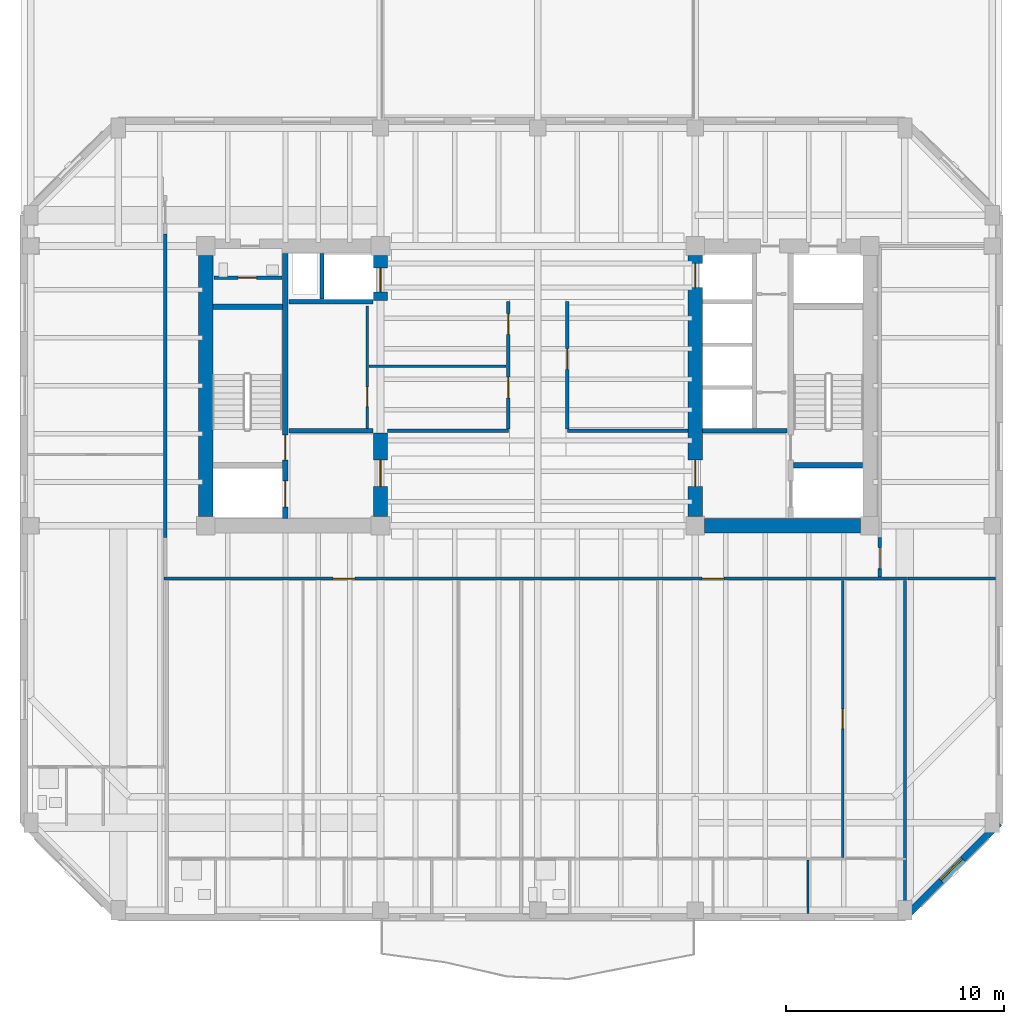
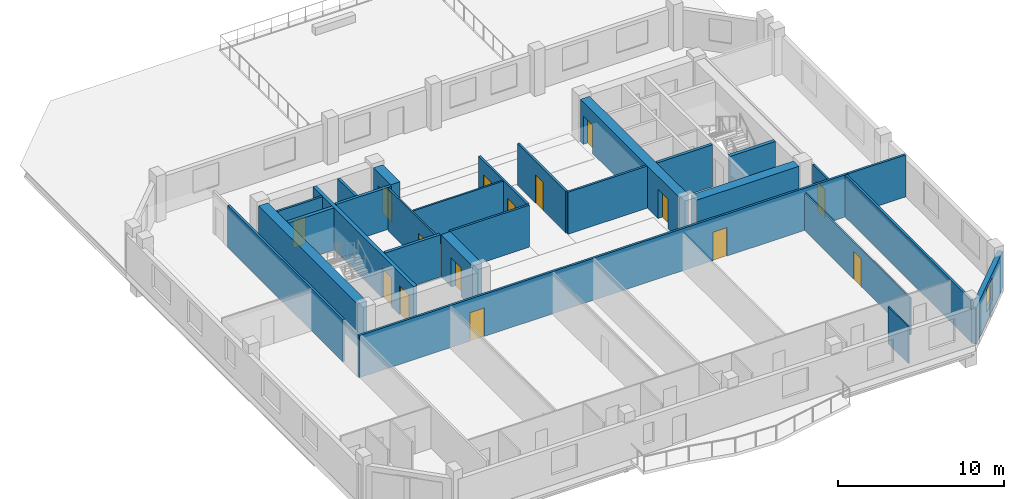
# One storey, part 4 of 11: 27 walls, 15 doors, 1 window, 16 openings.
"""IFC4 building model written with IfcOpenShell, lengths in metres."""

from ifc_helpers import new_model, si_unit, direction, frame, frame_2d, origin, place, context, subcontext, project, spatial, rectangle, extrude, material, layer, layer_set, type_object, element, fill, save


model = new_model("IFC4")

# Units and contexts
model_context = context("Model", 3, precision=1e-05, world=origin(), true_north=direction((0.0, 1.0)))
body_context = subcontext(model_context, "Body", "Model", "MODEL_VIEW")
ifc_project = project(units=[si_unit("LENGTHUNIT", "METRE"), si_unit("AREAUNIT", "SQUARE_METRE"), si_unit("VOLUMEUNIT", "CUBIC_METRE"), si_unit("PLANEANGLEUNIT", "RADIAN"), si_unit("MASSUNIT", "GRAM", prefix="KILO")], contexts=[model_context])

# Site, building, storey
site_placement = place(None, origin())
site = spatial("IfcSite", under=ifc_project, at=site_placement, CompositionType="ELEMENT")
building_placement = place(site_placement, origin())
building = spatial("IfcBuilding", under=site, at=building_placement, Name="Kranthara Brick Stack", CompositionType="ELEMENT")
storey_placement = place(building_placement, frame((0.0, 0.0, 207.5)))
storey = spatial("IfcBuildingStorey", under=building, at=storey_placement, Name="L53", CompositionType="ELEMENT", Elevation=207.5)

# Wall, opening, window
ifc_material_1 = material(Name="Warm buff clay brick masonry M15", Category="masonry")
ifc_layer_1 = layer(ifc_material_1, 0.320068359375)
ifc_layer_set_1 = layer_set([ifc_layer_1], Name="Warm buff clay brick masonry M15")
wall_type_1 = type_object("IfcWallType", Name="WL-BRK-UPPR-320", PredefinedType="STANDARD", material=ifc_layer_set_1)
wall_1_placement = place(storey_placement, frame((49.1201171875, 7.199951171875, 0.0), z_axis=(0.0, 0.0, 1.0), x_axis=(-0.707106781187, -0.707106781187, 0.0)))
wall_1 = element("IfcWall", 1, at=wall_1_placement, inside=storey, type_object=wall_type_1, Name="L53 Exterior Brick Facade Wall SE 1", PredefinedType="STANDARD", context=body_context, shape_type="SweptSolid", body=[
    extrude(rectangle(XDim=6.109619140625, YDim=0.320068359375, at=frame_2d((3.0546875, 0.0))), origin(), (0.0, 0.0, 1.0), 2.72509765625),
])
opening_1_placement = place(wall_1_placement, frame((2.35498046875, 0.0, 0.75)))
opening_1 = element("IfcOpeningElement", 2, at=opening_1_placement, cuts=wall_1, Name="Opening WN10", PredefinedType="OPENING", context=body_context, shape_type="SweptSolid", body=[
    extrude(rectangle(XDim=1.39990234375, YDim=1.64990234375, at=frame_2d((0.699951171875, 0.824951171875))), frame((0.0, 0.169921875, 0.0), z_axis=(0.0, -1.0, 0.0), x_axis=(1.0, 0.0, 0.0)), (0.0, 0.0, 1.0), 0.340087890625),
])
ifc_material_2 = material(Name="Double-glazed low-E solar control glass", Category="glass")
window_type = type_object("IfcWindowType", Name="WN-CHM-1400x1750", PartitioningType="SINGLE_PANEL", PredefinedType="WINDOW", material=ifc_material_2)
window_placement = place(opening_1_placement, origin())
window = element("IfcWindow", 3, at=window_placement, inside=storey, type_object=window_type, Name="L53 SE Chamfer Corner Window", OverallHeight=1.64990234375, OverallWidth=1.39990234375, PartitioningType="SINGLE_PANEL", PredefinedType="WINDOW", context=body_context, shape_type="SweptSolid", body=[
    extrude(rectangle(XDim=1.39990234375, YDim=1.64990234375, at=frame_2d((0.699951171875, 0.824951171875))), frame((0.0, -0.010009765625, 0.0), z_axis=(0.0, -1.0, 0.0), x_axis=(1.0, 0.0, 0.0)), (0.0, 0.0, 1.0), 0.06005859375),
])
fill(opening_1, window)

# Wall, openings, doors
ifc_material_3 = material(Name="Concrete C50/60", Category="concrete")
ifc_layer_2 = layer(ifc_material_3, 0.25)
ifc_layer_set_2 = layer_set([ifc_layer_2], Name="Concrete C50/60")
wall_type_2 = type_object("IfcWallType", Name="WL-CORE-250", PredefinedType="SHEAR", material=ifc_layer_set_2)
wall_2_placement = place(storey_placement, frame((16.43505859375, 21.135009765625, 0.0), z_axis=(0.0, 0.0, 1.0), x_axis=(0.0, 1.0, 0.0)))
wall_2 = element("IfcWall", 4, at=wall_2_placement, inside=storey, type_object=wall_type_2, Name="L53 West Core Stair Bearing Spine Wall", PredefinedType="SHEAR", context=body_context, shape_type="SweptSolid", body=[
    extrude(rectangle(XDim=12.1298828125, YDim=0.25, at=frame_2d((6.06494140625, 0.0))), origin(), (0.0, 0.0, 1.0), 3.10009765625),
])
opening_2_placement = place(wall_2_placement, frame((0.514892578125, 0.0, 0.0)))
opening_2 = element("IfcOpeningElement", 5, at=opening_2_placement, cuts=wall_2, Name="Opening LD01", PredefinedType="OPENING", context=body_context, shape_type="SweptSolid", body=[
    extrude(rectangle(XDim=1.199951171875, YDim=2.14990234375, at=frame_2d((0.60009765625, 1.074951171875))), frame((0.0, 0.135009765625, 0.0), z_axis=(0.0, -1.0, 0.0), x_axis=(1.0, 0.0, 0.0)), (0.0, 0.0, 1.0), 0.27001953125),
])
opening_3_placement = place(wall_2_placement, frame((2.6650390625, 0.0, 0.0)))
opening_3 = element("IfcOpeningElement", 6, at=opening_3_placement, cuts=wall_2, Name="Opening D05", PredefinedType="OPENING", context=body_context, shape_type="SweptSolid", body=[
    extrude(rectangle(XDim=1.14990234375, YDim=2.14990234375, at=frame_2d((0.574951171875, 1.074951171875))), frame((0.0, 0.135009765625, 0.0), z_axis=(0.0, -1.0, 0.0), x_axis=(1.0, 0.0, 0.0)), (0.0, 0.0, 1.0), 0.27001953125),
])
ifc_material_4 = material(Name="Stainless steel sliding landing door", Category="steel")
door_type_1 = type_object("IfcDoorType", Name="DR-LD-FF1200", OperationType="DOUBLE_DOOR_SLIDING", PredefinedType="DOOR", material=ifc_material_4)
door_1_placement = place(opening_2_placement, origin())
door_1 = element("IfcDoor", 7, at=door_1_placement, inside=storey, type_object=door_type_1, Name="L53 Firefighting Lift FF-01 Landing Door", OperationType="DOUBLE_DOOR_SLIDING", OverallHeight=2.14990234375, OverallWidth=1.199951171875, PredefinedType="DOOR", context=body_context, shape_type="SweptSolid", body=[
    extrude(rectangle(XDim=1.199951171875, YDim=2.14990234375, at=frame_2d((0.60009765625, 1.074951171875))), frame((0.0, 0.02490234375, 0.0), z_axis=(0.0, -1.0, 0.0), x_axis=(1.0, 0.0, 0.0)), (0.0, 0.0, 1.0), 0.050048828125),
])
fill(opening_2, door_1)
ifc_material_5 = material(Name="Solid-core hardwood timber leaf in steel frame", Category="steel")
door_type_2 = type_object("IfcDoorType", Name="DR-ST-1150", OperationType="NOTDEFINED", PredefinedType="DOOR", material=ifc_material_5)
door_2_placement = place(opening_3_placement, origin())
door_2 = element("IfcDoor", 8, at=door_2_placement, inside=storey, type_object=door_type_2, Name="L53 Exit Stair ST01 Door", OperationType="SINGLE_SWING_RIGHT", OverallHeight=2.14990234375, OverallWidth=1.14990234375, PredefinedType="DOOR", context=body_context, shape_type="SweptSolid", body=[
    extrude(rectangle(XDim=1.14990234375, YDim=2.14990234375, at=frame_2d((0.574951171875, 1.074951171875))), frame((0.0, 0.02490234375, 0.0), z_axis=(0.0, -1.0, 0.0), x_axis=(1.0, 0.0, 0.0)), (0.0, 0.0, 1.0), 0.050048828125),
])
fill(opening_3, door_2)

# Walls
for number, where, z_axis, x_axis, name in (
    (9, (13.135009765625, 30.830078125, 0.0), (0.0, 0.0, 1.0), (1.0, 0.0, 0.0), "L53 West Stairwell Bearing Wall WST"),
    (10, (39.68994140625, 23.570068359375, 0.0), (0.0, 0.0, 1.0), (1.0, 0.0, 0.0), "L53 East Stairwell Bearing Wall EFF"),
):
    element("IfcWall", number, at=place(storey_placement, frame(where, z_axis=z_axis, x_axis=x_axis)), inside=storey, type_object=wall_type_2, Name=name, PredefinedType="SHEAR", context=body_context, shape_type="SweptSolid", body=[
        extrude(rectangle(XDim=3.175048828125, YDim=0.25, at=frame_2d((1.58740234375, 0.0))), origin(), (0.0, 0.0, 1.0), 3.10009765625),
    ])
ifc_material_6 = material(Name="Concrete C60/75", Category="concrete")
ifc_layer_3 = layer(ifc_material_6, 0.64990234375)
ifc_layer_set_3 = layer_set([ifc_layer_3], Name="Concrete C60/75")
wall_type_3 = type_object("IfcWallType", Name="WL-CORE-650", PredefinedType="SHEAR", material=ifc_layer_set_3)
wall_3_placement = place(storey_placement, frame((12.800048828125, 21.22998046875, 0.0), z_axis=(0.0, 0.0, 1.0), x_axis=(0.0, 1.0, 0.0)))
element("IfcWall", 11, at=wall_3_placement, inside=storey, type_object=wall_type_3, Name="L53 West Core Shear Wall West", PredefinedType="SHEAR", context=body_context, shape_type="SweptSolid", body=[
    extrude(rectangle(XDim=11.93994140625, YDim=0.64990234375, at=frame_2d((5.969970703125, 0.0))), origin(), (0.0, 0.0, 1.0), 3.10009765625),
])

# Wall, opening, door
wall_4_placement = place(storey_placement, frame((20.800048828125, 21.22998046875, 0.0), z_axis=(0.0, 0.0, 1.0), x_axis=(0.0, 1.0, 0.0)))
wall_4 = element("IfcWall", 12, at=wall_4_placement, inside=storey, type_object=wall_type_3, Name="L53 West Core Lobby Shear Wall", PredefinedType="SHEAR", context=body_context, shape_type="SweptSolid", body=[
    extrude(rectangle(XDim=3.820068359375, YDim=0.64990234375, at=frame_2d((1.91015625, 0.0))), origin(), (0.0, 0.0, 1.0), 3.10009765625),
])
opening_4_placement = place(wall_4_placement, frame((1.3701171875, 0.0, 0.0)))
opening_4 = element("IfcOpeningElement", 13, at=opening_4_placement, cuts=wall_4, Name="Opening D06", PredefinedType="OPENING", context=body_context, shape_type="SweptSolid", body=[
    extrude(rectangle(XDim=1.199951171875, YDim=2.14990234375, at=frame_2d((0.60009765625, 1.074951171875))), frame((0.0, 0.3349609375, 0.0), z_axis=(0.0, -1.0, 0.0), x_axis=(1.0, 0.0, 0.0)), (0.0, 0.0, 1.0), 0.669921875),
])
ifc_material_7 = material(Name="Solid-core hardwood timber leaf in steel frame", Category="steel")
door_type_3 = type_object("IfcDoorType", Name="DR-FFL-1200", OperationType="NOTDEFINED", PredefinedType="DOOR", material=ifc_material_7)
door_3_placement = place(opening_4_placement, origin())
door_3 = element("IfcDoor", 14, at=door_3_placement, inside=storey, type_object=door_type_3, Name="L53 West Firefighting Lobby Door", OperationType="SINGLE_SWING_LEFT", OverallHeight=2.14990234375, OverallWidth=1.199951171875, PredefinedType="DOOR", context=body_context, shape_type="SweptSolid", body=[
    extrude(rectangle(XDim=1.199951171875, YDim=2.14990234375, at=frame_2d((0.60009765625, 1.074951171875))), frame((0.0, 0.02490234375, 0.0), z_axis=(0.0, -1.0, 0.0), x_axis=(1.0, 0.0, 0.0)), (0.0, 0.0, 1.0), 0.050048828125),
])
fill(opening_4, door_3)

wall_5_placement = place(storey_placement, frame((20.800048828125, 31.10009765625, 0.0), z_axis=(0.0, 0.0, 1.0), x_axis=(0.0, 1.0, 0.0)))
wall_5 = element("IfcWall", 15, at=wall_5_placement, inside=storey, type_object=wall_type_3, Name="L53 West Core High-Rise Lift Wall", PredefinedType="SHEAR", context=body_context, shape_type="SweptSolid", body=[
    extrude(rectangle(XDim=2.06982421875, YDim=0.64990234375, at=frame_2d((1.034912109375, 0.0))), origin(), (0.0, 0.0, 1.0), 3.10009765625),
])
opening_5_placement = place(wall_5_placement, frame((0.39990234375, 0.0, 0.0)))
opening_5 = element("IfcOpeningElement", 16, at=opening_5_placement, cuts=wall_5, Name="Opening LD02", PredefinedType="OPENING", context=body_context, shape_type="SweptSolid", body=[
    extrude(rectangle(XDim=1.10009765625, YDim=2.10009765625, at=frame_2d((0.550048828125, 1.050048828125))), frame((0.0, 0.3349609375, 0.0), z_axis=(0.0, -1.0, 0.0), x_axis=(1.0, 0.0, 0.0)), (0.0, 0.0, 1.0), 0.669921875),
])
ifc_material_8 = material(Name="Stainless steel sliding landing door", Category="steel")
door_type_4 = type_object("IfcDoorType", Name="DR-LD-PL1100", OperationType="DOUBLE_DOOR_SLIDING", PredefinedType="DOOR", material=ifc_material_8)
door_4_placement = place(opening_5_placement, origin())
door_4 = element("IfcDoor", 17, at=door_4_placement, inside=storey, type_object=door_type_4, Name="L53 PL-07 Lift Landing Door", OperationType="DOUBLE_DOOR_SLIDING", OverallHeight=2.10009765625, OverallWidth=1.10009765625, PredefinedType="DOOR", context=body_context, shape_type="SweptSolid", body=[
    extrude(rectangle(XDim=1.10009765625, YDim=2.10009765625, at=frame_2d((0.550048828125, 1.050048828125))), frame((0.0, 0.02490234375, 0.0), z_axis=(0.0, -1.0, 0.0), x_axis=(1.0, 0.0, 0.0)), (0.0, 0.0, 1.0), 0.050048828125),
])
fill(opening_5, door_4)

# Wall
wall_6_placement = place(storey_placement, frame((35.6298828125, 20.800048828125, 0.0), z_axis=(0.0, 0.0, 1.0), x_axis=(1.0, 0.0, 0.0)))
element("IfcWall", 18, at=wall_6_placement, inside=storey, type_object=wall_type_3, Name="L53 East Core Shear Wall South", PredefinedType="SHEAR", context=body_context, shape_type="SweptSolid", body=[
    extrude(rectangle(XDim=7.14013671875, YDim=0.64990234375, at=frame_2d((3.570068359375, 0.0))), origin(), (0.0, 0.0, 1.0), 3.10009765625),
])

# Wall, openings, doors
wall_7_placement = place(storey_placement, frame((35.199951171875, 21.22998046875, 0.0), z_axis=(0.0, 0.0, 1.0), x_axis=(0.0, 1.0, 0.0)))
wall_7 = element("IfcWall", 19, at=wall_7_placement, inside=storey, type_object=wall_type_3, Name="L53 East Core Shear Wall West", PredefinedType="SHEAR", context=body_context, shape_type="SweptSolid", body=[
    extrude(rectangle(XDim=11.93994140625, YDim=0.64990234375, at=frame_2d((5.969970703125, 0.0))), origin(), (0.0, 0.0, 1.0), 3.10009765625),
])
opening_6_placement = place(wall_7_placement, frame((1.3701171875, 0.0, 0.0)))
opening_6 = element("IfcOpeningElement", 20, at=opening_6_placement, cuts=wall_7, Name="Opening D06", PredefinedType="OPENING", context=body_context, shape_type="SweptSolid", body=[
    extrude(rectangle(XDim=1.199951171875, YDim=2.14990234375, at=frame_2d((0.60009765625, 1.074951171875))), frame((0.0, 0.3349609375, 0.0), z_axis=(0.0, -1.0, 0.0), x_axis=(1.0, 0.0, 0.0)), (0.0, 0.0, 1.0), 0.669921875),
])
opening_7_placement = place(wall_7_placement, frame((10.469970703125, 0.0, 0.0)))
opening_7 = element("IfcOpeningElement", 21, at=opening_7_placement, cuts=wall_7, Name="Opening LD02", PredefinedType="OPENING", context=body_context, shape_type="SweptSolid", body=[
    extrude(rectangle(XDim=1.10009765625, YDim=2.10009765625, at=frame_2d((0.550048828125, 1.050048828125))), frame((0.0, 0.3349609375, 0.0), z_axis=(0.0, -1.0, 0.0), x_axis=(1.0, 0.0, 0.0)), (0.0, 0.0, 1.0), 0.669921875),
])
door_5_placement = place(opening_6_placement, origin())
door_5 = element("IfcDoor", 22, at=door_5_placement, inside=storey, type_object=door_type_3, Name="L53 East Firefighting Lobby Door", OperationType="SINGLE_SWING_RIGHT", OverallHeight=2.14990234375, OverallWidth=1.199951171875, PredefinedType="DOOR", context=body_context, shape_type="SweptSolid", body=[
    extrude(rectangle(XDim=1.199951171875, YDim=2.14990234375, at=frame_2d((0.60009765625, 1.074951171875))), frame((0.0, 0.02490234375, 0.0), z_axis=(0.0, -1.0, 0.0), x_axis=(1.0, 0.0, 0.0)), (0.0, 0.0, 1.0), 0.050048828125),
])
fill(opening_6, door_5)
door_6_placement = place(opening_7_placement, origin())
door_6 = element("IfcDoor", 23, at=door_6_placement, inside=storey, type_object=door_type_4, Name="L53 PL-08 Lift Landing Door", OperationType="DOUBLE_DOOR_SLIDING", OverallHeight=2.10009765625, OverallWidth=1.10009765625, PredefinedType="DOOR", context=body_context, shape_type="SweptSolid", body=[
    extrude(rectangle(XDim=1.10009765625, YDim=2.10009765625, at=frame_2d((0.550048828125, 1.050048828125))), frame((0.0, 0.02490234375, 0.0), z_axis=(0.0, -1.0, 0.0), x_axis=(1.0, 0.0, 0.0)), (0.0, 0.0, 1.0), 0.050048828125),
])
fill(opening_7, door_6)

# Wall, opening, door
ifc_material_9 = material(Name="Moisture-resistant wet-room partition", Category="other")
ifc_layer_4 = layer(ifc_material_9, 0.10009765625)
ifc_layer_set_4 = layer_set([ifc_layer_4], Name="Moisture-resistant wet-room partition")
wall_type_4 = type_object("IfcWallType", Name="WL-PART-100", PredefinedType="PARTITIONING", material=ifc_layer_set_4)
wall_8_placement = place(storey_placement, frame((41.9580078125, 5.60498046875, 0.0), z_axis=(0.0, 0.0, 1.0), x_axis=(0.0, 1.0, 0.0)))
wall_8 = element("IfcWall", 24, at=wall_8_placement, inside=storey, type_object=wall_type_4, Name="L53 Interior Partition 020", PredefinedType="PARTITIONING", context=body_context, shape_type="SweptSolid", body=[
    extrude(rectangle(XDim=12.695068359375, YDim=0.10009765625, at=frame_2d((6.34765625, 0.0))), origin(), (0.0, 0.0, 1.0), 2.72509765625),
])
opening_8_placement = place(wall_8_placement, frame((5.909912109375, 0.0, 0.0)))
opening_8 = element("IfcOpeningElement", 25, at=opening_8_placement, cuts=wall_8, Name="Opening D15", PredefinedType="OPENING", context=body_context, shape_type="SweptSolid", body=[
    extrude(rectangle(XDim=0.89990234375, YDim=2.050048828125, at=frame_2d((0.449951171875, 1.02490234375))), frame((0.0, 0.06005859375, 0.0), z_axis=(0.0, -1.0, 0.0), x_axis=(1.0, 0.0, 0.0)), (0.0, 0.0, 1.0), 0.1201171875),
])
ifc_material_10 = material(Name="Solid-core hardwood timber leaf in steel frame", Category="steel")
door_type_5 = type_object("IfcDoorType", Name="DR-INT-900", OperationType="NOTDEFINED", PredefinedType="DOOR", material=ifc_material_10)
door_7_placement = place(opening_8_placement, origin())
door_7 = element("IfcDoor", 26, at=door_7_placement, inside=storey, type_object=door_type_5, Name="L53 Unit L53B Bedroom 3 16", OperationType="SINGLE_SWING_RIGHT", OverallHeight=2.050048828125, OverallWidth=0.89990234375, PredefinedType="DOOR", context=body_context, shape_type="SweptSolid", body=[
    extrude(rectangle(XDim=0.89990234375, YDim=2.050048828125, at=frame_2d((0.449951171875, 1.02490234375))), frame((0.0, 0.02490234375, 0.0), z_axis=(0.0, -1.0, 0.0), x_axis=(1.0, 0.0, 0.0)), (0.0, 0.0, 1.0), 0.050048828125),
])
fill(opening_8, door_7)

# Wall
wall_9_placement = place(storey_placement, frame((40.367919921875, 3.044921875, 0.0), z_axis=(0.0, 0.0, 1.0), x_axis=(0.0, 1.0, 0.0)))
element("IfcWall", 27, at=wall_9_placement, inside=storey, type_object=wall_type_4, Name="L53 Interior Partition 024", PredefinedType="PARTITIONING", context=body_context, shape_type="SweptSolid", body=[
    extrude(rectangle(XDim=2.4501953125, YDim=0.10009765625, at=frame_2d((1.22509765625, 0.0))), origin(), (0.0, 0.0, 1.0), 2.72509765625),
])

# Wall, opening, door
ifc_material_11 = material(Name="Acoustic gypsum plasterboard partition", Category="other")
ifc_layer_5 = layer(ifc_material_11, 0.1201171875)
ifc_layer_set_5 = layer_set([ifc_layer_5], Name="Acoustic gypsum plasterboard partition")
wall_type_5 = type_object("IfcWallType", Name="WL-PART-120", PredefinedType="PARTITIONING", material=ifc_layer_set_5)
wall_10_placement = place(storey_placement, frame((20.199951171875, 25.2548828125, 0.0), z_axis=(0.0, 0.0, 1.0), x_axis=(0.0, 1.0, 0.0)))
wall_10 = element("IfcWall", 28, at=wall_10_placement, inside=storey, type_object=wall_type_5, Name="L53 Interior Partition 007", PredefinedType="PARTITIONING", context=body_context, shape_type="SweptSolid", body=[
    extrude(rectangle(XDim=5.59521484375, YDim=0.1201171875, at=frame_2d((2.797607421875, 0.0))), origin(), (0.0, 0.0, 1.0), 3.10009765625),
])
opening_9_placement = place(wall_10_placement, frame((0.9951171875, 0.0, 0.0)))
opening_9 = element("IfcOpeningElement", 29, at=opening_9_placement, cuts=wall_10, Name="Opening D15", PredefinedType="OPENING", context=body_context, shape_type="SweptSolid", body=[
    extrude(rectangle(XDim=0.89990234375, YDim=2.050048828125, at=frame_2d((0.449951171875, 1.02490234375))), frame((0.0, 0.070068359375, 0.0), z_axis=(0.0, -1.0, 0.0), x_axis=(1.0, 0.0, 0.0)), (0.0, 0.0, 1.0), 0.14013671875),
])
door_8_placement = place(opening_9_placement, origin())
door_8 = element("IfcDoor", 30, at=door_8_placement, inside=storey, type_object=door_type_5, Name="L53 Music Room Door 04", OperationType="SINGLE_SWING_RIGHT", OverallHeight=2.050048828125, OverallWidth=0.89990234375, PredefinedType="DOOR", context=body_context, shape_type="SweptSolid", body=[
    extrude(rectangle(XDim=0.89990234375, YDim=2.050048828125, at=frame_2d((0.449951171875, 1.02490234375))), frame((0.0, 0.02490234375, 0.0), z_axis=(0.0, -1.0, 0.0), x_axis=(1.0, 0.0, 0.0)), (0.0, 0.0, 1.0), 0.050048828125),
])
fill(opening_9, door_8)

# Wall
wall_11_placement = place(storey_placement, frame((20.280029296875, 28.10009765625, 0.0), z_axis=(0.0, 0.0, 1.0), x_axis=(1.0, 0.0, 0.0)))
element("IfcWall", 31, at=wall_11_placement, inside=storey, type_object=wall_type_5, Name="L53 Interior Partition 008", PredefinedType="PARTITIONING", context=body_context, shape_type="SweptSolid", body=[
    extrude(rectangle(XDim=6.27001953125, YDim=0.1201171875, at=frame_2d((3.135009765625, 0.0))), origin(), (0.0, 0.0, 1.0), 3.10009765625),
])

# Wall, opening, door
ifc_material_12 = material(Name="Fire-rated gypsum board partition", Category="other")
ifc_layer_6 = layer(ifc_material_12, 0.14990234375)
ifc_layer_set_6 = layer_set([ifc_layer_6], Name="Fire-rated gypsum board partition")
wall_type_6 = type_object("IfcWallType", Name="WL-PART-150", PredefinedType="PARTITIONING", material=ifc_layer_set_6)
wall_12_placement = place(storey_placement, frame((13.179931640625, 32.14990234375, 0.0), z_axis=(0.0, 0.0, 1.0), x_axis=(1.0, 0.0, 0.0)))
wall_12 = element("IfcWall", 32, at=wall_12_placement, inside=storey, type_object=wall_type_6, Name="L53 Interior Partition 001", PredefinedType="PARTITIONING", context=body_context, shape_type="SweptSolid", body=[
    extrude(rectangle(XDim=3.10009765625, YDim=0.14990234375, at=frame_2d((1.550048828125, 0.0))), origin(), (0.0, 0.0, 1.0), 3.10009765625),
])
opening_10_placement = place(wall_12_placement, frame((1.10009765625, 0.0, 0.0)))
opening_10 = element("IfcOpeningElement", 33, at=opening_10_placement, cuts=wall_12, Name="Opening D10", PredefinedType="OPENING", context=body_context, shape_type="SweptSolid", body=[
    extrude(rectangle(XDim=0.85009765625, YDim=2.02001953125, at=frame_2d((0.425048828125, 1.010009765625))), frame((0.0, 0.0849609375, 0.0), z_axis=(0.0, -1.0, 0.0), x_axis=(1.0, 0.0, 0.0)), (0.0, 0.0, 1.0), 0.169921875),
])
ifc_material_13 = material(Name="Solid-core hardwood timber leaf in steel frame", Category="steel")
door_type_6 = type_object("IfcDoorType", Name="DR-RSR-850", OperationType="NOTDEFINED", PredefinedType="DOOR", material=ifc_material_13)
door_9_placement = place(opening_10_placement, origin())
door_9 = element("IfcDoor", 34, at=door_9_placement, inside=storey, type_object=door_type_6, Name="L53 West Inner Riser Door 01", OperationType="SINGLE_SWING_LEFT", OverallHeight=2.02001953125, OverallWidth=0.85009765625, PredefinedType="DOOR", context=body_context, shape_type="SweptSolid", body=[
    extrude(rectangle(XDim=0.85009765625, YDim=2.02001953125, at=frame_2d((0.425048828125, 1.010009765625))), frame((0.0, 0.02490234375, 0.0), z_axis=(0.0, -1.0, 0.0), x_axis=(1.0, 0.0, 0.0)), (0.0, 0.0, 1.0), 0.050048828125),
])
fill(opening_10, door_9)

# Walls
for number, where, z_axis, x_axis, name in (
    (35, (21.1298828125, 25.14990234375, 0.0), (0.0, 0.0, 1.0), (1.0, 0.0, 0.0), "L53 Interior Partition 004"),
    (36, (29.35009765625, 25.14990234375, 0.0), (0.0, 0.0, 1.0), (1.0, 0.0, 0.0), "L53 Interior Partition 005"),
):
    element("IfcWall", number, at=place(storey_placement, frame(where, z_axis=z_axis, x_axis=x_axis)), inside=storey, type_object=wall_type_6, Name=name, PredefinedType="PARTITIONING", context=body_context, shape_type="SweptSolid", body=[
        extrude(rectangle(XDim=5.52001953125, YDim=0.14990234375, at=frame_2d((2.760009765625, 0.0))), origin(), (0.0, 0.0, 1.0), 3.10009765625),
    ])

# Wall, openings, doors
wall_13_placement = place(storey_placement, frame((26.64990234375, 25.22998046875, 0.0), z_axis=(0.0, 0.0, 1.0), x_axis=(0.0, 1.0, 0.0)))
wall_13 = element("IfcWall", 37, at=wall_13_placement, inside=storey, type_object=wall_type_6, Name="L53 Interior Partition 006", PredefinedType="PARTITIONING", context=body_context, shape_type="SweptSolid", body=[
    extrude(rectangle(XDim=5.820068359375, YDim=0.14990234375, at=frame_2d((2.91015625, 0.0))), origin(), (0.0, 0.0, 1.0), 3.10009765625),
])
opening_11_placement = place(wall_13_placement, frame((1.419921875, 0.0, 0.0)))
opening_11 = element("IfcOpeningElement", 38, at=opening_11_placement, cuts=wall_13, Name="Opening D09", PredefinedType="OPENING", context=body_context, shape_type="SweptSolid", body=[
    extrude(rectangle(XDim=0.949951171875, YDim=2.10009765625, at=frame_2d((0.47509765625, 1.050048828125))), frame((0.0, 0.0849609375, 0.0), z_axis=(0.0, -1.0, 0.0), x_axis=(1.0, 0.0, 0.0)), (0.0, 0.0, 1.0), 0.169921875),
])
opening_12_placement = place(wall_13_placement, frame((4.320068359375, 0.0, 0.0)))
opening_12 = element("IfcOpeningElement", 39, at=opening_12_placement, cuts=wall_13, Name="Opening D09", PredefinedType="OPENING", context=body_context, shape_type="SweptSolid", body=[
    extrude(rectangle(XDim=0.949951171875, YDim=2.10009765625, at=frame_2d((0.47509765625, 1.050048828125))), frame((0.0, 0.0849609375, 0.0), z_axis=(0.0, -1.0, 0.0), x_axis=(1.0, 0.0, 0.0)), (0.0, 0.0, 1.0), 0.169921875),
])
ifc_material_14 = material(Name="Solid-core hardwood timber leaf in steel frame", Category="steel")
door_type_7 = type_object("IfcDoorType", Name="DR-FD-950", OperationType="NOTDEFINED", PredefinedType="DOOR", material=ifc_material_14)
door_10_placement = place(opening_11_placement, origin())
door_10 = element("IfcDoor", 40, at=door_10_placement, inside=storey, type_object=door_type_7, Name="L53 Sky Club Reading Room 05", OperationType="SINGLE_SWING_LEFT", OverallHeight=2.10009765625, OverallWidth=0.949951171875, PredefinedType="DOOR", context=body_context, shape_type="SweptSolid", body=[
    extrude(rectangle(XDim=0.949951171875, YDim=2.10009765625, at=frame_2d((0.47509765625, 1.050048828125))), frame((0.0, 0.02490234375, 0.0), z_axis=(0.0, -1.0, 0.0), x_axis=(1.0, 0.0, 0.0)), (0.0, 0.0, 1.0), 0.050048828125),
])
fill(opening_11, door_10)
door_11_placement = place(opening_12_placement, origin())
door_11 = element("IfcDoor", 41, at=door_11_placement, inside=storey, type_object=door_type_7, Name="L53 Sky Club Card Salon 06", OperationType="SINGLE_SWING_RIGHT", OverallHeight=2.10009765625, OverallWidth=0.949951171875, PredefinedType="DOOR", context=body_context, shape_type="SweptSolid", body=[
    extrude(rectangle(XDim=0.949951171875, YDim=2.10009765625, at=frame_2d((0.47509765625, 1.050048828125))), frame((0.0, 0.02490234375, 0.0), z_axis=(0.0, -1.0, 0.0), x_axis=(1.0, 0.0, 0.0)), (0.0, 0.0, 1.0), 0.050048828125),
])
fill(opening_12, door_11)

# Wall, opening, door
wall_14_placement = place(storey_placement, frame((29.35009765625, 25.22998046875, 0.0), z_axis=(0.0, 0.0, 1.0), x_axis=(0.0, 1.0, 0.0)))
wall_14 = element("IfcWall", 42, at=wall_14_placement, inside=storey, type_object=wall_type_6, Name="L53 Interior Partition 009", PredefinedType="PARTITIONING", context=body_context, shape_type="SweptSolid", body=[
    extrude(rectangle(XDim=5.820068359375, YDim=0.14990234375, at=frame_2d((2.91015625, 0.0))), origin(), (0.0, 0.0, 1.0), 3.10009765625),
])
opening_13_placement = place(wall_14_placement, frame((2.719970703125, 0.0, 0.0)))
opening_13 = element("IfcOpeningElement", 43, at=opening_13_placement, cuts=wall_14, Name="Opening D09", PredefinedType="OPENING", context=body_context, shape_type="SweptSolid", body=[
    extrude(rectangle(XDim=0.949951171875, YDim=2.10009765625, at=frame_2d((0.47509765625, 1.050048828125))), frame((0.0, 0.0849609375, 0.0), z_axis=(0.0, -1.0, 0.0), x_axis=(1.0, 0.0, 0.0)), (0.0, 0.0, 1.0), 0.169921875),
])
door_12_placement = place(opening_13_placement, origin())
door_12 = element("IfcDoor", 44, at=door_12_placement, inside=storey, type_object=door_type_7, Name="L53 Residents Lounge 07", OperationType="SINGLE_SWING_LEFT", OverallHeight=2.10009765625, OverallWidth=0.949951171875, PredefinedType="DOOR", context=body_context, shape_type="SweptSolid", body=[
    extrude(rectangle(XDim=0.949951171875, YDim=2.10009765625, at=frame_2d((0.47509765625, 1.050048828125))), frame((0.0, 0.02490234375, 0.0), z_axis=(0.0, -1.0, 0.0), x_axis=(1.0, 0.0, 0.0)), (0.0, 0.0, 1.0), 0.050048828125),
])
fill(opening_13, door_12)

# Wall, openings, doors
wall_15_placement = place(storey_placement, frame((10.89990234375, 18.3798828125, 0.0), z_axis=(0.0, 0.0, 1.0), x_axis=(1.0, 0.0, 0.0)))
wall_15 = element("IfcWall", 45, at=wall_15_placement, inside=storey, type_object=wall_type_6, Name="L53 Interior Partition 010", PredefinedType="PARTITIONING", context=body_context, shape_type="SweptSolid", body=[
    extrude(rectangle(XDim=34.02001953125, YDim=0.14990234375, at=frame_2d((17.010009765625, 0.0))), origin(), (0.0, 0.0, 1.0), 3.10009765625),
])
opening_14_placement = place(wall_15_placement, frame((7.72705078125, 0.0, 0.0)))
opening_14 = element("IfcOpeningElement", 46, at=opening_14_placement, cuts=wall_15, Name="Opening D08", PredefinedType="OPENING", context=body_context, shape_type="SweptSolid", body=[
    extrude(rectangle(XDim=1.0, YDim=2.10009765625, at=frame_2d((0.5, 1.050048828125))), frame((0.0, 0.0849609375, 0.0), z_axis=(0.0, -1.0, 0.0), x_axis=(1.0, 0.0, 0.0)), (0.0, 0.0, 1.0), 0.169921875),
])
opening_15_placement = place(wall_15_placement, frame((24.616943359375, 0.0, 0.0)))
opening_15 = element("IfcOpeningElement", 47, at=opening_15_placement, cuts=wall_15, Name="Opening D08", PredefinedType="OPENING", context=body_context, shape_type="SweptSolid", body=[
    extrude(rectangle(XDim=1.0, YDim=2.10009765625, at=frame_2d((0.5, 1.050048828125))), frame((0.0, 0.0849609375, 0.0), z_axis=(0.0, -1.0, 0.0), x_axis=(1.0, 0.0, 0.0)), (0.0, 0.0, 1.0), 0.169921875),
])
ifc_material_15 = material(Name="Solid-core hardwood timber leaf in steel frame", Category="steel")
door_type_8 = type_object("IfcDoorType", Name="DR-FD-1000", OperationType="NOTDEFINED", PredefinedType="DOOR", material=ifc_material_15)
door_13_placement = place(opening_14_placement, origin())
door_13 = element("IfcDoor", 48, at=door_13_placement, inside=storey, type_object=door_type_8, Name="L53 Unit L53A Entrance 08", OperationType="SINGLE_SWING_RIGHT", OverallHeight=2.10009765625, OverallWidth=1.0, PredefinedType="DOOR", context=body_context, shape_type="SweptSolid", body=[
    extrude(rectangle(XDim=1.0, YDim=2.10009765625, at=frame_2d((0.5, 1.050048828125))), frame((0.0, 0.02490234375, 0.0), z_axis=(0.0, -1.0, 0.0), x_axis=(1.0, 0.0, 0.0)), (0.0, 0.0, 1.0), 0.050048828125),
])
fill(opening_14, door_13)
door_14_placement = place(opening_15_placement, origin())
door_14 = element("IfcDoor", 49, at=door_14_placement, inside=storey, type_object=door_type_8, Name="L53 Unit L53B Entrance 15", OperationType="SINGLE_SWING_LEFT", OverallHeight=2.10009765625, OverallWidth=1.0, PredefinedType="DOOR", context=body_context, shape_type="SweptSolid", body=[
    extrude(rectangle(XDim=1.0, YDim=2.10009765625, at=frame_2d((0.5, 1.050048828125))), frame((0.0, 0.02490234375, 0.0), z_axis=(0.0, -1.0, 0.0), x_axis=(1.0, 0.0, 0.0)), (0.0, 0.0, 1.0), 0.050048828125),
])
fill(opening_15, door_14)

# Walls
wall_16_placement = place(storey_placement, frame((44.800048828125, 3.044921875, 0.0), z_axis=(0.0, 0.0, 1.0), x_axis=(0.0, 1.0, 0.0)))
element("IfcWall", 50, at=wall_16_placement, inside=storey, type_object=wall_type_6, Name="L53 Interior Partition 025", PredefinedType="PARTITIONING", context=body_context, shape_type="SweptSolid", body=[
    extrude(rectangle(XDim=15.255126953125, YDim=0.14990234375, at=frame_2d((7.62744140625, 0.0))), origin(), (0.0, 0.0, 1.0), 3.10009765625),
])
wall_17_placement = place(storey_placement, frame((10.949951171875, 20.25, 0.0), z_axis=(0.0, 0.0, 1.0), x_axis=(0.0, 1.0, 0.0)))
element("IfcWall", 51, at=wall_17_placement, inside=storey, type_object=wall_type_6, Name="L53 Interior Partition 028", PredefinedType="PARTITIONING", context=body_context, shape_type="SweptSolid", body=[
    extrude(rectangle(XDim=13.89990234375, YDim=0.14990234375, at=frame_2d((6.949951171875, 0.0))), origin(), (0.0, 0.0, 1.0), 3.10009765625),
])
wall_18_placement = place(storey_placement, frame((44.929931640625, 18.3798828125, 0.0), z_axis=(0.0, 0.0, 1.0), x_axis=(1.0, 0.0, 0.0)))
element("IfcWall", 52, at=wall_18_placement, inside=storey, type_object=wall_type_6, Name="L53 Interior Partition 035", PredefinedType="PARTITIONING", context=body_context, shape_type="SweptSolid", body=[
    extrude(rectangle(XDim=4.025146484375, YDim=0.14990234375, at=frame_2d((2.0126953125, 0.0))), origin(), (0.0, 0.0, 1.0), 3.10009765625),
])

# Wall, opening, door
wall_19_placement = place(storey_placement, frame((43.64990234375, 18.4599609375, 0.0), z_axis=(0.0, 0.0, 1.0), x_axis=(0.0, 1.0, 0.0)))
wall_19 = element("IfcWall", 53, at=wall_19_placement, inside=storey, type_object=wall_type_6, Name="L53 Interior Partition 037", PredefinedType="PARTITIONING", context=body_context, shape_type="SweptSolid", body=[
    extrude(rectangle(XDim=1.7900390625, YDim=0.14990234375, at=frame_2d((0.89501953125, 0.0))), origin(), (0.0, 0.0, 1.0), 3.10009765625),
])
opening_16_placement = place(wall_19_placement, frame((0.3798828125, 0.0, 0.0)))
opening_16 = element("IfcOpeningElement", 54, at=opening_16_placement, cuts=wall_19, Name="Opening D09", PredefinedType="OPENING", context=body_context, shape_type="SweptSolid", body=[
    extrude(rectangle(XDim=0.949951171875, YDim=2.10009765625, at=frame_2d((0.47509765625, 1.050048828125))), frame((0.0, 0.0849609375, 0.0), z_axis=(0.0, -1.0, 0.0), x_axis=(1.0, 0.0, 0.0)), (0.0, 0.0, 1.0), 0.169921875),
])
door_15_placement = place(opening_16_placement, origin())
door_15 = element("IfcDoor", 55, at=door_15_placement, inside=storey, type_object=door_type_7, Name="L53 East Sky Conservatory Door 27", OperationType="SINGLE_SWING_LEFT", OverallHeight=2.10009765625, OverallWidth=0.949951171875, PredefinedType="DOOR", context=body_context, shape_type="SweptSolid", body=[
    extrude(rectangle(XDim=0.949951171875, YDim=2.10009765625, at=frame_2d((0.47509765625, 1.050048828125))), frame((0.0, 0.02490234375, 0.0), z_axis=(0.0, -1.0, 0.0), x_axis=(1.0, 0.0, 0.0)), (0.0, 0.0, 1.0), 0.050048828125),
])
fill(opening_16, door_15)

# Walls
ifc_material_16 = material(Name="Gypsum plasterboard on acoustic twin stud", Category="other")
ifc_layer_7 = layer(ifc_material_16, 0.179931640625)
ifc_layer_set_7 = layer_set([ifc_layer_7], Name="Gypsum plasterboard on acoustic twin stud")
wall_type_7 = type_object("IfcWallType", Name="WL-PART-180", PredefinedType="PARTITIONING", material=ifc_layer_set_7)
wall_20_placement = place(storey_placement, frame((18.1201171875, 31.169921875, 0.0), z_axis=(0.0, 0.0, 1.0), x_axis=(0.0, 1.0, 0.0)))
element("IfcWall", 56, at=wall_20_placement, inside=storey, type_object=wall_type_7, Name="L53 PL-07 Shaft Back Wall", PredefinedType="PARTITIONING", context=body_context, shape_type="SweptSolid", body=[
    extrude(rectangle(XDim=2.094970703125, YDim=0.179931640625, at=frame_2d((1.04736328125, 0.0))), origin(), (0.0, 0.0, 1.0), 3.10009765625),
])
ifc_material_17 = material(Name="Concrete C40/50", Category="concrete")
ifc_layer_8 = layer(ifc_material_17, 0.199951171875)
ifc_layer_set_8 = layer_set([ifc_layer_8], Name="Concrete C40/50")
wall_type_8 = type_object("IfcWallType", Name="WL-PART-200", PredefinedType="SOLIDWALL", material=ifc_layer_set_8)
for number, where, z_axis, x_axis, name in (
    (57, (16.60009765625, 25.14990234375, 0.0), (0.0, 0.0, 1.0), (1.0, 0.0, 0.0), "L53 West Core Cross Wall WFL"),
    (58, (16.60009765625, 31.050048828125, 0.0), (0.0, 0.0, 1.0), (1.0, 0.0, 0.0), "L53 West Core Cross Wall WH4"),
):
    element("IfcWall", number, at=place(storey_placement, frame(where, z_axis=z_axis, x_axis=x_axis)), inside=storey, type_object=wall_type_8, Name=name, PredefinedType="SOLIDWALL", context=body_context, shape_type="SweptSolid", body=[
        extrude(rectangle(XDim=3.849853515625, YDim=0.199951171875, at=frame_2d((1.9248046875, 0.0))), origin(), (0.0, 0.0, 1.0), 3.10009765625),
    ])
wall_21_placement = place(storey_placement, frame((35.534912109375, 25.14990234375, 0.0), z_axis=(0.0, 0.0, 1.0), x_axis=(1.0, 0.0, 0.0)))
element("IfcWall", 59, at=wall_21_placement, inside=storey, type_object=wall_type_8, Name="L53 East Core Cross Wall EFL", PredefinedType="SOLIDWALL", context=body_context, shape_type="SweptSolid", body=[
    extrude(rectangle(XDim=3.864990234375, YDim=0.199951171875, at=frame_2d((1.9326171875, 0.0))), origin(), (0.0, 0.0, 1.0), 3.10009765625),
])

save(model, "model.ifc")
